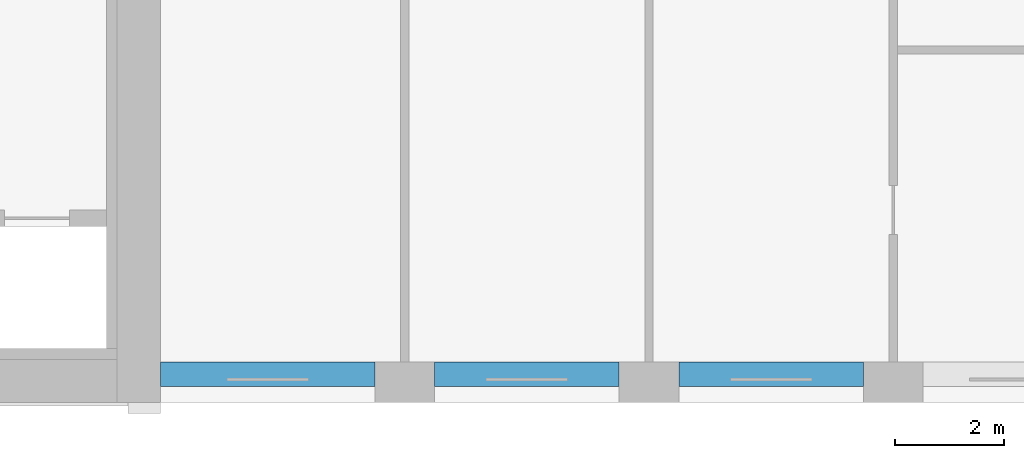
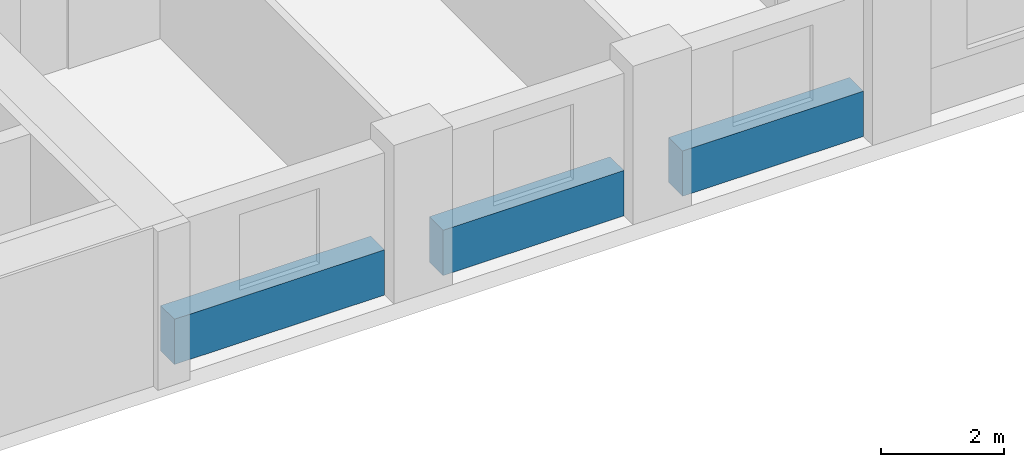
# One storey, part 3 of 16: 3 beams.
"""IFC4 building model written with IfcOpenShell, lengths in metres."""

from ifc_helpers import new_model, si_unit, direction, frame, origin, origin_2d, place, context, subcontext, project, spatial, rectangle, extrude, material, material_profile, profile_set, type_object, element, save


model = new_model("IFC4")

# Units and contexts
model_context = context("Model", 3, precision=1e-05, world=origin(), true_north=direction((0.0, 1.0)))
body_context = subcontext(model_context, "Body", "Model", "MODEL_VIEW")
ifc_project = project(units=[si_unit("LENGTHUNIT", "METRE"), si_unit("AREAUNIT", "SQUARE_METRE"), si_unit("VOLUMEUNIT", "CUBIC_METRE"), si_unit("PLANEANGLEUNIT", "RADIAN"), si_unit("MASSUNIT", "GRAM", prefix="KILO")], contexts=[model_context])

# Site, building, storey
site_placement = place(None, origin())
site = spatial("IfcSite", under=ifc_project, at=site_placement, CompositionType="ELEMENT")
building_placement = place(site_placement, origin())
building = spatial("IfcBuilding", under=site, at=building_placement, Name="Brigalow Station Residences", CompositionType="ELEMENT")
storey_placement = place(building_placement, frame((0.0, 0.0, 99.300048828125)))
storey = spatial("IfcBuildingStorey", under=building, at=storey_placement, Name="L28", CompositionType="ELEMENT", Elevation=99.300048828125)

# Beams
ifc_material = material(Name="Concrete C65", Category="concrete")
ifc_material_profile = material_profile(ifc_material, rectangle(XDim=0.449951171875, YDim=0.89990234375, at=origin_2d()), Name="RC450x900")
ifc_profile_set = profile_set([ifc_material_profile], Name="Concrete C65")
beam_type = type_object("IfcBeamType", Name="SPANDREL BEAM 450x900 C65", PredefinedType="SPANDREL", material=ifc_profile_set)
beam_placement = place(storey_placement, frame((54.0, 0.52490234375, 0.449951171875), z_axis=(1.0, 0.0, 0.0), x_axis=(0.0, 1.0, 0.0)))
element("IfcBeam", 1, at=beam_placement, inside=storey, type_object=beam_type, Name="L28/spandrel/W-L28-4", PredefinedType="SPANDREL", context=body_context, shape_type="SweptSolid", body=[
    extrude(rectangle(XDim=0.449951171875, YDim=0.89990234375, at=origin_2d()), origin(), (0.0, 0.0, 1.0), 3.949951171875),
])
for number, where, z_axis, x_axis, name in (
    (2, (59.050048828125, 0.52490234375, 0.449951171875), (1.0, 0.0, 0.0), (0.0, 1.0, 0.0), "L28/spandrel/W-L28-5"),
    (3, (63.550048828125, 0.52490234375, 0.449951171875), (1.0, 0.0, 0.0), (0.0, 1.0, 0.0), "L28/spandrel/W-L28-6"),
):
    element("IfcBeam", number, at=place(storey_placement, frame(where, z_axis=z_axis, x_axis=x_axis)), inside=storey, type_object=beam_type, Name=name, PredefinedType="SPANDREL", context=body_context, shape_type="SweptSolid", body=[
        extrude(rectangle(XDim=0.449951171875, YDim=0.89990234375, at=origin_2d()), origin(), (0.0, 0.0, 1.0), 3.39990234375),
    ])

save(model, "model.ifc")
